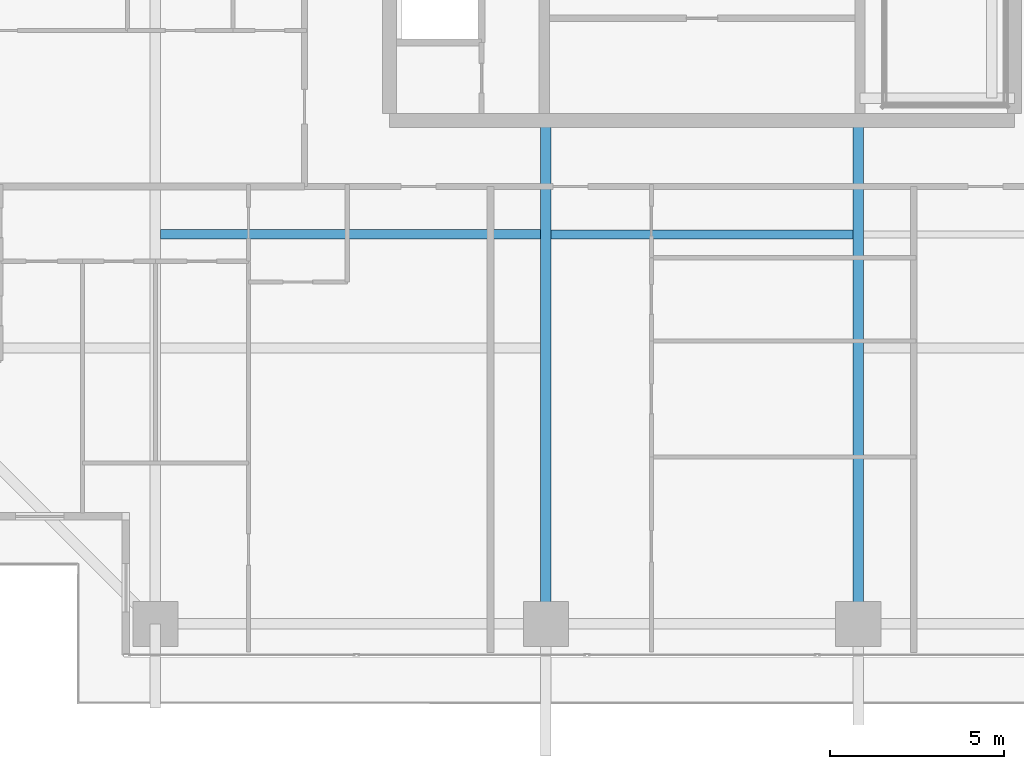
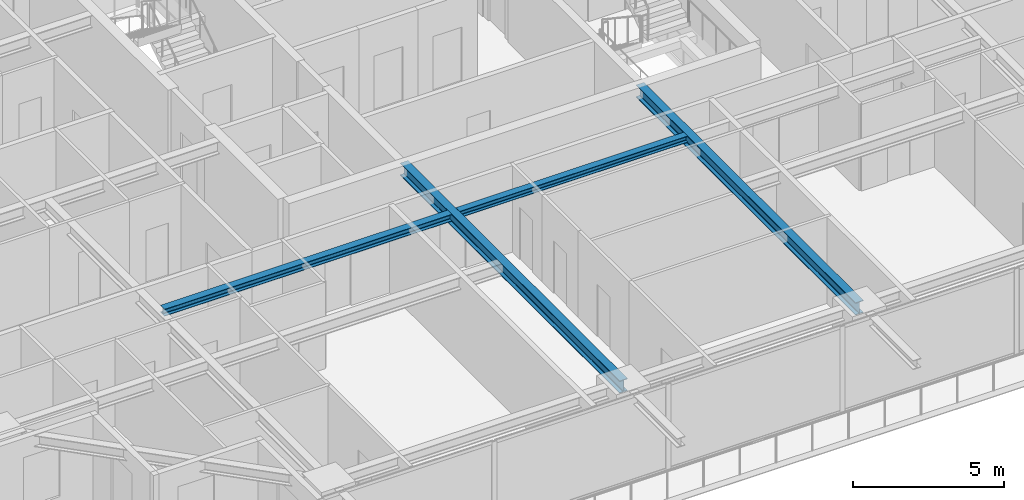
# One storey, part 7 of 37: 4 beams.
"""IFC4 building model written with IfcOpenShell, lengths in metres."""

from ifc_helpers import new_model, si_unit, direction, frame, origin, origin_2d, place, context, subcontext, project, spatial, i_section, extrude, source, transform, mapped, material, material_profile, profile_set, type_object, element, save


model = new_model("IFC4")

# Units and contexts
model_context = context("Model", 3, precision=1e-05, world=origin(), true_north=direction((0.0, 1.0)))
body_context = subcontext(model_context, "Body", "Model", "MODEL_VIEW")
ifc_project = project(units=[si_unit("LENGTHUNIT", "METRE"), si_unit("AREAUNIT", "SQUARE_METRE"), si_unit("VOLUMEUNIT", "CUBIC_METRE"), si_unit("PLANEANGLEUNIT", "RADIAN"), si_unit("MASSUNIT", "GRAM", prefix="KILO")], contexts=[model_context])

# Site, building, storey
site_placement = place(None, origin())
site = spatial("IfcSite", under=ifc_project, at=site_placement, CompositionType="ELEMENT")
building_placement = place(site_placement, origin())
building = spatial("IfcBuilding", under=site, at=building_placement, Name="Serunith Strait Residences", CompositionType="ELEMENT")
storey_placement = place(building_placement, frame((0.0, 0.0, 127.64990234375)))
storey = spatial("IfcBuildingStorey", under=building, at=storey_placement, Name="L31", CompositionType="ELEMENT", Elevation=127.64990234375)

# Beams
ifc_material = material(Name="Steel S355J2", Category="steel")
ifc_material_profile_1 = material_profile(ifc_material, i_section(OverallWidth=0.260009765625, OverallDepth=0.260009765625, WebThickness=0.010009765625, FlangeThickness=0.017578125, FilletRadius=0.02392578125, at=origin_2d()), Name="HEB 260")
ifc_profile_set_1 = profile_set([ifc_material_profile_1], Name="Steel S355J2")
beam_type_1 = type_object("IfcBeamType", Name="BM-HEB260", PredefinedType="JOIST", material=ifc_profile_set_1)
shared_shape_1 = source(origin(), body_context, "Body", "SweptSolid", [
    extrude(i_section(OverallWidth=0.260009765625, OverallDepth=0.260009765625, WebThickness=0.010009765625, FlangeThickness=0.017578125, FilletRadius=0.02392578125, at=origin_2d()), origin(), (0.0, 0.0, 1.0), 8.699951171875),
])
beam_1_placement = place(storey_placement, frame((28.050048828125, 13.52490234375, 3.357177734375), z_axis=(1.0, 0.0, 0.0), x_axis=(0.0, 1.0, 0.0)))
element("IfcBeam", 1, at=beam_1_placement, inside=storey, type_object=beam_type_1, Name="L31 Composite Floor Joist 02", PredefinedType="JOIST", context=body_context, shape_type="MappedRepresentation", body=[
    mapped(shared_shape_1, transform((0.0, 0.0, 0.0), scale=1.0)),
])
ifc_material_profile_2 = material_profile(ifc_material, i_section(OverallWidth=0.300048828125, OverallDepth=0.5, WebThickness=0.014404296875, FlangeThickness=0.028076171875, FilletRadius=0.027099609375, at=origin_2d()), Name="HEB 500")
ifc_profile_set_2 = profile_set([ifc_material_profile_2], Name="Steel S355J2")
beam_type_2 = type_object("IfcBeamType", Name="BM-HEB500", PredefinedType="BEAM", material=ifc_profile_set_2)
shared_shape_2 = source(origin(), body_context, "Body", "SweptSolid", [
    extrude(i_section(OverallWidth=0.300048828125, OverallDepth=0.5, WebThickness=0.014404296875, FlangeThickness=0.028076171875, FilletRadius=0.027099609375, at=origin_2d()), origin(), (0.0, 0.0, 1.0), 14.5),
])
for number, where, z_axis, x_axis, name in (
    (2, (27.89990234375, 16.800048828125, 3.237060546875), (0.0, -1.0, 0.0), (1.0, 0.0, 0.0), "L31 Primary Floor Girder TC-S2"),
    (3, (36.89990234375, 16.800048828125, 3.237060546875), (0.0, -1.0, 0.0), (1.0, 0.0, 0.0), "L31 Primary Floor Girder TC-S3"),
):
    element("IfcBeam", number, at=place(storey_placement, frame(where, z_axis=z_axis, x_axis=x_axis)), inside=storey, type_object=beam_type_2, Name=name, PredefinedType="BEAM", context=body_context, shape_type="MappedRepresentation", body=[
        mapped(shared_shape_2, transform((0.0, 0.0, 0.0), scale=1.0)),
    ])
ifc_material_profile_3 = material_profile(ifc_material, i_section(OverallWidth=0.280029296875, OverallDepth=0.280029296875, WebThickness=0.010498046875, FlangeThickness=0.01806640625, FilletRadius=0.02392578125, at=origin_2d()), Name="HEB 280")
ifc_profile_set_3 = profile_set([ifc_material_profile_3], Name="Steel S355J2")
beam_type_3 = type_object("IfcBeamType", Name="BM-HEB280", PredefinedType="JOIST", material=ifc_profile_set_3)
shared_shape_3 = source(origin(), body_context, "Body", "SweptSolid", [
    extrude(i_section(OverallWidth=0.280029296875, OverallDepth=0.280029296875, WebThickness=0.010498046875, FlangeThickness=0.01806640625, FilletRadius=0.02392578125, at=origin_2d()), origin(), (0.0, 0.0, 1.0), 10.949951171875),
])
beam_2_placement = place(storey_placement, frame((16.800048828125, 13.52490234375, 3.34716796875), z_axis=(1.0, 0.0, 0.0), x_axis=(0.0, 1.0, 0.0)))
element("IfcBeam", 4, at=beam_2_placement, inside=storey, type_object=beam_type_3, Name="L31 Composite Floor Joist 01", PredefinedType="JOIST", context=body_context, shape_type="MappedRepresentation", body=[
    mapped(shared_shape_3, transform((0.0, 0.0, 0.0), scale=1.0)),
])

save(model, "model.ifc")
